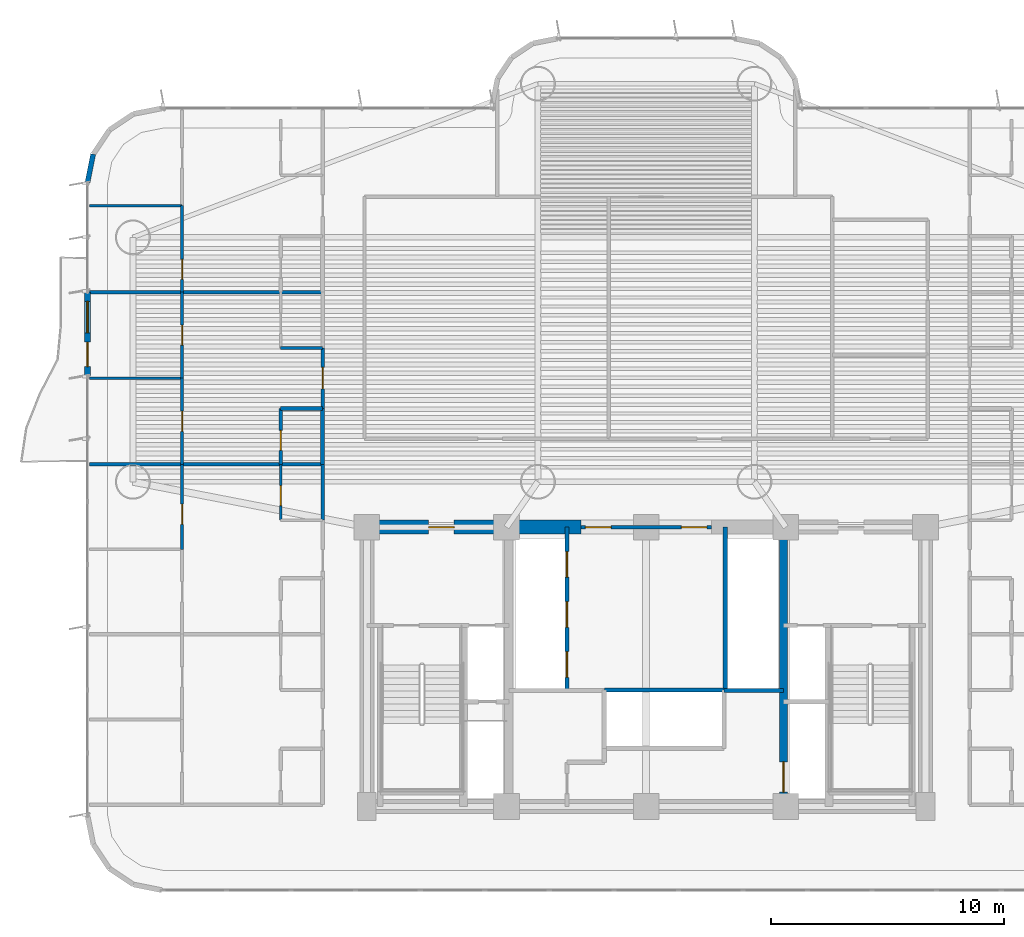
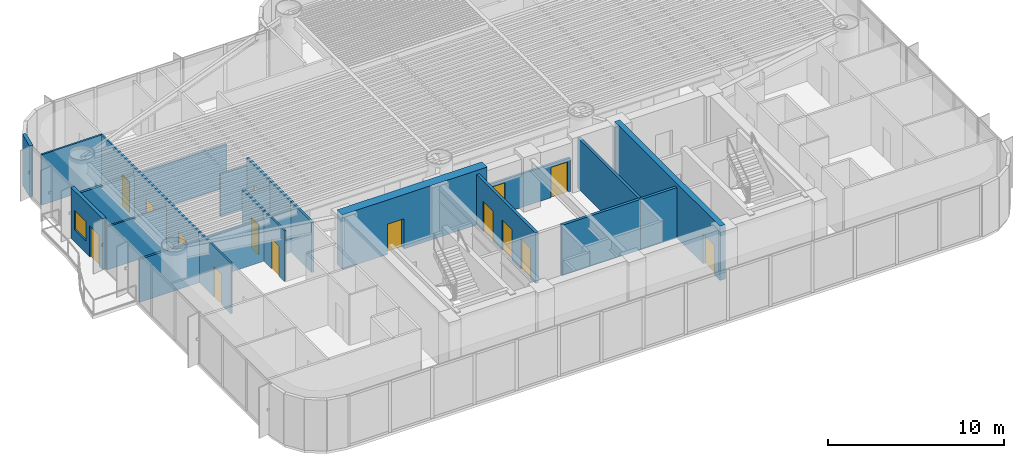
# One storey, part 11 of 19: 24 walls, 15 doors, 1 window, 16 openings.
"""IFC4 building model written with IfcOpenShell, lengths in metres."""

from ifc_helpers import new_model, si_unit, direction, frame, frame_2d, origin, origin_2d, place, context, subcontext, project, spatial, rectangle, extrude, source, transform, mapped, material, layer, layer_set, type_object, element, fill, save


model = new_model("IFC4")

# Units and contexts
model_context = context("Model", 3, precision=1e-05, world=origin(), true_north=direction((0.0, 1.0)))
body_context = subcontext(model_context, "Body", "Model", "MODEL_VIEW")
ifc_project = project(units=[si_unit("LENGTHUNIT", "METRE"), si_unit("AREAUNIT", "SQUARE_METRE"), si_unit("VOLUMEUNIT", "CUBIC_METRE"), si_unit("PLANEANGLEUNIT", "RADIAN"), si_unit("MASSUNIT", "GRAM", prefix="KILO")], contexts=[model_context])

# Site, building, storey
site_placement = place(None, origin())
site = spatial("IfcSite", under=ifc_project, at=site_placement, CompositionType="ELEMENT")
building_placement = place(site_placement, origin())
building = spatial("IfcBuilding", under=site, at=building_placement, Name="Brelvock Crest Care Tower", CompositionType="ELEMENT")
storey_placement = place(building_placement, frame((0.0, 0.0, 30.780029296875)))
storey = spatial("IfcBuildingStorey", under=building, at=storey_placement, Name="L07", CompositionType="ELEMENT", Elevation=30.780029296875)

# Wall, opening, door
ifc_material_1 = material(Name="Concrete S80 (80 MPa)", Category="concrete")
ifc_layer_1 = layer(ifc_material_1, 0.60009765625, Name="WL-CS1")
ifc_layer_set_1 = layer_set([ifc_layer_1], Name="Concrete S80 (80 MPa)")
wall_type_1 = type_object("IfcWallType", Name="WL-CS1", PredefinedType="SHEAR", material=ifc_layer_set_1)
wall_1_placement = place(storey_placement, frame((23.699951171875, 18.0, 0.0), z_axis=(0.0, 0.0, 1.0), x_axis=(1.0, 0.0, 0.0)))
wall_1 = element("IfcWall", 1, at=wall_1_placement, inside=storey, type_object=wall_type_1, Name="L07 Core North-West Shear Wall", PredefinedType="SHEAR", context=body_context, shape_type="SweptSolid", body=[
    extrude(rectangle(XDim=9.5, YDim=0.60009765625, at=frame_2d((4.75, 0.0))), origin(), (0.0, 0.0, 1.0), 3.780029296875),
])
opening_1_placement = place(wall_1_placement, frame((2.949951171875, 0.0, 0.0)))
opening_1 = element("IfcOpeningElement", 2, at=opening_1_placement, cuts=wall_1, Name="Opening FD-1", PredefinedType="OPENING", context=body_context, shape_type="SweptSolid", body=[
    extrude(rectangle(XDim=1.10009765625, YDim=2.10009765625, at=origin_2d()), frame((0.550048828125, 0.31005859375, 1.050048828125), z_axis=(0.0, -1.0, 0.0), x_axis=(1.0, 0.0, 0.0)), (0.0, 0.0, 1.0), 0.6201171875),
])
ifc_material_2 = material(Name="Steel Grade 350", Category="steel")
door_type_1 = type_object("IfcDoorType", Name="DR-FFL1", OperationType="NOTDEFINED", PredefinedType="DOOR", material=ifc_material_2)
shared_shape_1 = source(origin(), body_context, "Body", "SweptSolid", [
    extrude(rectangle(XDim=1.10009765625, YDim=2.10009765625, at=origin_2d()), frame((0.550048828125, 0.02490234375, 1.050048828125), z_axis=(0.0, -1.0, 0.0), x_axis=(1.0, 0.0, 0.0)), (0.0, 0.0, 1.0), 0.050048828125),
])
door_1_placement = place(opening_1_placement, origin())
door_1 = element("IfcDoor", 3, at=door_1_placement, inside=storey, type_object=door_type_1, Name="L07 Firefighting Lobby FFL-1 Exit Door", OperationType="SINGLE_SWING_LEFT", OverallHeight=2.10009765625, OverallWidth=1.10009765625, PredefinedType="DOOR", context=body_context, shape_type="MappedRepresentation", body=[
    mapped(shared_shape_1, transform((0.0, 0.0, 0.0), x_axis=(1.0, 0.0, 0.0), y_axis=(0.0, 1.0, 0.0), z_axis=(0.0, 0.0, 1.0), scale=1.0)),
])
fill(opening_1, door_1)

ifc_layer_2 = layer(ifc_material_1, 0.35009765625, Name="WL-CS5")
ifc_layer_set_2 = layer_set([ifc_layer_2], Name="Concrete S80 (80 MPa)")
wall_type_2 = type_object("IfcWallType", Name="WL-CS5", PredefinedType="SHEAR", material=ifc_layer_set_2)
wall_2_placement = place(storey_placement, frame((41.89990234375, 18.0, 0.0), z_axis=(0.0, 0.0, 1.0), x_axis=(0.0, -1.0, 0.0)))
wall_2 = element("IfcWall", 4, at=wall_2_placement, inside=storey, type_object=wall_type_2, Name="L07 Core Internal Web Wall East", PredefinedType="SHEAR", context=body_context, shape_type="SweptSolid", body=[
    extrude(rectangle(XDim=12.0, YDim=0.35009765625, at=frame_2d((6.0, 0.0))), origin(), (0.0, 0.0, 1.0), 3.780029296875),
])
opening_2_placement = place(wall_2_placement, frame((10.080078125, 0.0, 0.0)))
opening_2 = element("IfcOpeningElement", 5, at=opening_2_placement, cuts=wall_2, Name="Opening LD-S", PredefinedType="OPENING", context=body_context, shape_type="SweptSolid", body=[
    extrude(rectangle(XDim=1.300048828125, YDim=2.10009765625, at=origin_2d()), frame((0.64990234375, 0.18505859375, 1.050048828125), z_axis=(0.0, -1.0, 0.0), x_axis=(1.0, 0.0, 0.0)), (0.0, 0.0, 1.0), 0.3701171875),
])
door_type_2 = type_object("IfcDoorType", Name="DR-LDS1", OperationType="NOTDEFINED", PredefinedType="DOOR", material=ifc_material_2)
shared_shape_2 = source(origin(), body_context, "Body", "SweptSolid", [
    extrude(rectangle(XDim=1.300048828125, YDim=2.10009765625, at=origin_2d()), frame((0.64990234375, 0.02490234375, 1.050048828125), z_axis=(0.0, -1.0, 0.0), x_axis=(1.0, 0.0, 0.0)), (0.0, 0.0, 1.0), 0.050048828125),
])
door_2_placement = place(opening_2_placement, origin())
door_2 = element("IfcDoor", 6, at=door_2_placement, inside=storey, type_object=door_type_2, Name="L07 Clinical Bed Lift SL-1 Landing Door", OperationType="SLIDING_TO_LEFT", OverallHeight=2.10009765625, OverallWidth=1.300048828125, PredefinedType="DOOR", context=body_context, shape_type="MappedRepresentation", body=[
    mapped(shared_shape_2, transform((0.0, 0.0, 0.0), x_axis=(1.0, 0.0, 0.0), y_axis=(0.0, 1.0, 0.0), z_axis=(0.0, 0.0, 1.0), scale=1.0)),
])
fill(opening_2, door_2)

# Wall, openings, door, window
ifc_material_3 = material(Name="Precast concrete N40 (40 MPa)", Category="concrete")
ifc_layer_3 = layer(ifc_material_3, 0.239990234375, Name="WL-EX1")
ifc_layer_set_3 = layer_set([ifc_layer_3], Name="Precast concrete N40 (40 MPa)")
wall_type_3 = type_object("IfcWallType", Name="WL-EX1", PredefinedType="SOLIDWALL", material=ifc_layer_set_3)
wall_3_placement = place(storey_placement, frame((12.0, 24.5, 0.0), z_axis=(0.0, 0.0, 1.0), x_axis=(0.0, 1.0, 0.0)))
wall_3 = element("IfcWall", 7, at=wall_3_placement, inside=storey, type_object=wall_type_3, Name="L07 Exterior Spandrel Wall WL-BAL-L07-W", PredefinedType="SOLIDWALL", context=body_context, shape_type="SweptSolid", body=[
    extrude(rectangle(XDim=3.60009765625, YDim=0.239990234375, at=frame_2d((1.800048828125, 0.0))), origin(), (0.0, 0.0, 1.0), 3.530029296875),
])
opening_3_placement = place(wall_3_placement, frame((0.39990234375, 0.0, 0.0)))
opening_3 = element("IfcOpeningElement", 8, at=opening_3_placement, cuts=wall_3, Name="Opening BD-1", PredefinedType="OPENING", context=body_context, shape_type="SweptSolid", body=[
    extrude(rectangle(XDim=1.050048828125, YDim=2.14990234375, at=origin_2d()), frame((0.52490234375, 0.1298828125, 1.074951171875), z_axis=(0.0, -1.0, 0.0), x_axis=(1.0, 0.0, 0.0)), (0.0, 0.0, 1.0), 0.260009765625),
])
opening_4_placement = place(wall_3_placement, frame((1.85009765625, 0.0, 0.85009765625)))
opening_4 = element("IfcOpeningElement", 9, at=opening_4_placement, cuts=wall_3, Name="Opening W-01", PredefinedType="OPENING", context=body_context, shape_type="SweptSolid", body=[
    extrude(rectangle(XDim=1.35009765625, YDim=1.35009765625, at=origin_2d()), frame((0.675048828125, 0.1298828125, 0.675048828125), z_axis=(0.0, -1.0, 0.0), x_axis=(1.0, 0.0, 0.0)), (0.0, 0.0, 1.0), 0.260009765625),
])
ifc_material_4 = material(Name="Dark Glass Double Glazed Low-E", Category="glass")
door_type_3 = type_object("IfcDoorType", Name="DR-BAL1", OperationType="NOTDEFINED", PredefinedType="DOOR", material=ifc_material_4)
shared_shape_3 = source(origin(), body_context, "Body", "SweptSolid", [
    extrude(rectangle(XDim=1.050048828125, YDim=2.14990234375, at=origin_2d()), frame((0.52490234375, 0.02490234375, 1.074951171875), z_axis=(0.0, -1.0, 0.0), x_axis=(1.0, 0.0, 0.0)), (0.0, 0.0, 1.0), 0.050048828125),
])
door_3_placement = place(opening_3_placement, origin())
door_3 = element("IfcDoor", 10, at=door_3_placement, inside=storey, type_object=door_type_3, Name="L07 W Wave Balcony Glazed Door", OperationType="SINGLE_SWING_LEFT", OverallHeight=2.14990234375, OverallWidth=1.050048828125, PredefinedType="DOOR", context=body_context, shape_type="MappedRepresentation", body=[
    mapped(shared_shape_3, transform((0.0, 0.0, 0.0), x_axis=(1.0, 0.0, 0.0), y_axis=(0.0, 1.0, 0.0), z_axis=(0.0, 0.0, 1.0), scale=1.0)),
])
fill(opening_3, door_3)
window_type = type_object("IfcWindowType", Name="WN-EX1", PartitioningType="SINGLE_PANEL", PredefinedType="WINDOW", material=ifc_material_4)
shared_shape_4 = source(origin(), body_context, "Body", "SweptSolid", [
    extrude(rectangle(XDim=1.35009765625, YDim=1.35009765625, at=origin_2d()), frame((0.675048828125, 0.030029296875, 0.675048828125), z_axis=(0.0, -1.0, 0.0), x_axis=(1.0, 0.0, 0.0)), (0.0, 0.0, 1.0), 0.06005859375),
])
window_placement = place(opening_4_placement, origin())
window = element("IfcWindow", 11, at=window_placement, inside=storey, type_object=window_type, Name="L07 W Suite Casement Window", OverallHeight=1.35009765625, OverallWidth=1.35009765625, PartitioningType="SINGLE_PANEL", PredefinedType="WINDOW", context=body_context, shape_type="MappedRepresentation", body=[
    mapped(shared_shape_4, transform((0.0, 0.0, 0.0), x_axis=(1.0, 0.0, 0.0), y_axis=(0.0, 1.0, 0.0), z_axis=(0.0, 0.0, 1.0), scale=1.0)),
])
fill(opening_4, window)

# Wall
ifc_layer_4 = layer(ifc_material_3, 0.215087890625, Name="WL-EX2")
ifc_layer_set_4 = layer_set([ifc_layer_4], Name="Precast concrete N40 (40 MPa)")
wall_type_4 = type_object("IfcWallType", Name="WL-EX2", PredefinedType="SOLIDWALL", material=ifc_layer_set_4)
wall_4_placement = place(storey_placement, frame((12.0, 32.800048828125, 0.0), z_axis=(0.0, 0.0, 1.0), x_axis=(0.195138390419, 0.980775717779, 0.0)))
element("IfcWall", 12, at=wall_4_placement, inside=storey, type_object=wall_type_4, Name="L07 Rounded Corner Wall 14", PredefinedType="SOLIDWALL", context=body_context, shape_type="SweptSolid", body=[
    extrude(rectangle(XDim=1.24853515625, YDim=0.215087890625, at=frame_2d((0.624267578125, 0.0))), origin(), (0.0, 0.0, 1.0), 3.530029296875),
])

# Wall, openings, doors
ifc_material_5 = material(Name="Masonry Blockwork Acoustic Partition", Category="masonry")
ifc_layer_5 = layer(ifc_material_5, 0.14990234375, Name="WL-INT1")
ifc_layer_set_5 = layer_set([ifc_layer_5], Name="Masonry Blockwork Acoustic Partition")
wall_type_5 = type_object("IfcWallType", Name="WL-INT1", PredefinedType="PARTITIONING", material=ifc_layer_set_5)
wall_5_placement = place(storey_placement, frame((33.199951171875, 18.0, 0.0), z_axis=(0.0, 0.0, 1.0), x_axis=(1.0, 0.0, 0.0)))
wall_5 = element("IfcWall", 13, at=wall_5_placement, inside=storey, type_object=wall_type_5, Name="L07 Interior Wall WL-CORE-NPORT-L07", PredefinedType="PARTITIONING", context=body_context, shape_type="SweptSolid", body=[
    extrude(rectangle(XDim=5.60009765625, YDim=0.14990234375, at=frame_2d((2.800048828125, 0.0))), origin(), (0.0, 0.0, 1.0), 2.31494140625),
])
opening_5_placement = place(wall_5_placement, frame((0.18994140625, 0.0, 0.0)))
opening_5 = element("IfcOpeningElement", 14, at=opening_5_placement, cuts=wall_5, Name="Opening FD-1", PredefinedType="OPENING", context=body_context, shape_type="SweptSolid", body=[
    extrude(rectangle(XDim=1.10009765625, YDim=2.10009765625, at=origin_2d()), frame((0.550048828125, 0.0849609375, 1.050048828125), z_axis=(0.0, -1.0, 0.0), x_axis=(1.0, 0.0, 0.0)), (0.0, 0.0, 1.0), 0.169921875),
])
opening_6_placement = place(wall_5_placement, frame((4.31005859375, 0.0, 0.0)))
opening_6 = element("IfcOpeningElement", 15, at=opening_6_placement, cuts=wall_5, Name="Opening FD-1", PredefinedType="OPENING", context=body_context, shape_type="SweptSolid", body=[
    extrude(rectangle(XDim=1.10009765625, YDim=2.10009765625, at=origin_2d()), frame((0.550048828125, 0.0849609375, 1.050048828125), z_axis=(0.0, -1.0, 0.0), x_axis=(1.0, 0.0, 0.0)), (0.0, 0.0, 1.0), 0.169921875),
])
door_4_placement = place(opening_5_placement, origin())
door_4 = element("IfcDoor", 16, at=door_4_placement, inside=storey, type_object=door_type_1, Name="L07 Lift Lobby North Smoke Door West", OperationType="SINGLE_SWING_LEFT", OverallHeight=2.10009765625, OverallWidth=1.10009765625, PredefinedType="DOOR", context=body_context, shape_type="MappedRepresentation", body=[
    mapped(shared_shape_1, transform((0.0, 0.0, 0.0), x_axis=(1.0, 0.0, 0.0), y_axis=(0.0, 1.0, 0.0), z_axis=(0.0, 0.0, 1.0), scale=1.0)),
])
fill(opening_5, door_4)
door_5_placement = place(opening_6_placement, origin())
door_5 = element("IfcDoor", 17, at=door_5_placement, inside=storey, type_object=door_type_1, Name="L07 Lift Lobby North Smoke Door East", OperationType="SINGLE_SWING_RIGHT", OverallHeight=2.10009765625, OverallWidth=1.10009765625, PredefinedType="DOOR", context=body_context, shape_type="MappedRepresentation", body=[
    mapped(shared_shape_1, transform((0.0, 0.0, 0.0), x_axis=(1.0, 0.0, 0.0), y_axis=(0.0, 1.0, 0.0), z_axis=(0.0, 0.0, 1.0), scale=1.0)),
])
fill(opening_6, door_5)

# Walls
for number, where, z_axis, x_axis, name in (
    (18, (12.080078125, 20.699951171875, 0.0), (0.0, 0.0, 1.0), (1.0, 0.0, 0.0), "L07 Interior Wall WL-BX-L07-FL-WW2-N"),
    (19, (12.080078125, 28.10009765625, 0.0), (0.0, 0.0, 1.0), (1.0, 0.0, 0.0), "L07 Interior Wall WL-BX-L07-FL-WW3-N"),
):
    element("IfcWall", number, at=place(storey_placement, frame(where, z_axis=z_axis, x_axis=x_axis)), inside=storey, type_object=wall_type_5, Name=name, PredefinedType="PARTITIONING", context=body_context, shape_type="SweptSolid", body=[
        extrude(rectangle(XDim=10.02001953125, YDim=0.14990234375, at=frame_2d((5.010009765625, 0.0))), origin(), (0.0, 0.0, 1.0), 2.98193359375),
    ])
wall_6_placement = place(storey_placement, frame((22.10009765625, 18.300048828125, 0.0), z_axis=(0.0, 0.0, 1.0), x_axis=(0.0, 1.0, 0.0)))
element("IfcWall", 20, at=wall_6_placement, inside=storey, type_object=wall_type_5, Name="L07 Interior Wall WL-UCK-L07-WW2", PredefinedType="PARTITIONING", context=body_context, shape_type="SweptSolid", body=[
    extrude(rectangle(XDim=2.39990234375, YDim=0.14990234375, at=frame_2d((1.199951171875, 0.0))), origin(), (0.0, 0.0, 1.0), 3.5),
])

# Wall, opening, door
wall_7_placement = place(storey_placement, frame((22.10009765625, 23.10009765625, 0.0), z_axis=(0.0, 0.0, 1.0), x_axis=(0.0, 1.0, 0.0)))
wall_7 = element("IfcWall", 21, at=wall_7_placement, inside=storey, type_object=wall_type_5, Name="L07 Interior Wall WL-UENT-L07-WW3", PredefinedType="PARTITIONING", context=body_context, shape_type="SweptSolid", body=[
    extrude(rectangle(XDim=2.599853515625, YDim=0.14990234375, at=frame_2d((1.2998046875, 0.0))), origin(), (0.0, 0.0, 1.0), 3.5),
])
opening_7_placement = place(wall_7_placement, frame((0.840087890625, 0.0, 0.0)))
opening_7 = element("IfcOpeningElement", 22, at=opening_7_placement, cuts=wall_7, Name="Opening AD-1", PredefinedType="OPENING", context=body_context, shape_type="SweptSolid", body=[
    extrude(rectangle(XDim=0.919921875, YDim=2.10009765625, at=origin_2d()), frame((0.4599609375, 0.0849609375, 1.050048828125), z_axis=(0.0, -1.0, 0.0), x_axis=(1.0, 0.0, 0.0)), (0.0, 0.0, 1.0), 0.169921875),
])
ifc_material_6 = material(Name="Engineered Hardwood Timber", Category="wood")
door_type_4 = type_object("IfcDoorType", Name="DR-APT1", OperationType="NOTDEFINED", PredefinedType="DOOR", material=ifc_material_6)
shared_shape_5 = source(origin(), body_context, "Body", "SweptSolid", [
    extrude(rectangle(XDim=0.919921875, YDim=2.10009765625, at=origin_2d()), frame((0.4599609375, 0.02490234375, 1.050048828125), z_axis=(0.0, -1.0, 0.0), x_axis=(1.0, 0.0, 0.0)), (0.0, 0.0, 1.0), 0.050048828125),
])
door_6_placement = place(opening_7_placement, origin())
door_6 = element("IfcDoor", 23, at=door_6_placement, inside=storey, type_object=door_type_4, Name="L07 Apartment Entrance WW3", OperationType="SINGLE_SWING_LEFT", OverallHeight=2.10009765625, OverallWidth=0.919921875, PredefinedType="DOOR", context=body_context, shape_type="MappedRepresentation", body=[
    mapped(shared_shape_5, transform((0.0, 0.0, 0.0), x_axis=(1.0, 0.0, 0.0), y_axis=(0.0, 1.0, 0.0), z_axis=(0.0, 0.0, 1.0), scale=1.0)),
])
fill(opening_7, door_6)

# Walls
ifc_material_7 = material(Name="Gypsum Plasterboard Partition", Category="gypsum")
ifc_layer_6 = layer(ifc_material_7, 0.1201171875, Name="WL-INT2")
ifc_layer_set_6 = layer_set([ifc_layer_6], Name="Gypsum Plasterboard Partition")
wall_type_6 = type_object("IfcWallType", Name="WL-INT2", PredefinedType="PARTITIONING", material=ifc_layer_set_6)
wall_8_placement = place(storey_placement, frame((12.080078125, 24.39990234375, 0.0), z_axis=(0.0, 0.0, 1.0), x_axis=(1.0, 0.0, 0.0)))
element("IfcWall", 24, at=wall_8_placement, inside=storey, type_object=wall_type_6, Name="L07 Interior Wall WL-UBSP-L07-WW3", PredefinedType="PARTITIONING", context=body_context, shape_type="SweptSolid", body=[
    extrude(rectangle(XDim=3.98388671875, YDim=0.1201171875, at=frame_2d((1.991943359375, 0.0))), origin(), (0.0, 0.0, 1.0), 2.98193359375),
])
wall_9_placement = place(storey_placement, frame((20.300048828125, 25.699951171875, 0.0), z_axis=(0.0, 0.0, 1.0), x_axis=(1.0, 0.0, 0.0)))
element("IfcWall", 25, at=wall_9_placement, inside=storey, type_object=wall_type_6, Name="L07 Interior Wall WL-UKIT2-L07-WW3", PredefinedType="PARTITIONING", context=body_context, shape_type="SweptSolid", body=[
    extrude(rectangle(XDim=1.800048828125, YDim=0.1201171875, at=frame_2d((0.89990234375, 0.0))), origin(), (0.0, 0.0, 1.0), 2.98193359375),
])
wall_10_placement = place(storey_placement, frame((12.080078125, 31.81005859375, 0.0), z_axis=(0.0, 0.0, 1.0), x_axis=(1.0, 0.0, 0.0)))
element("IfcWall", 26, at=wall_10_placement, inside=storey, type_object=wall_type_6, Name="L07 Interior Wall WL-UBSP-L07-WW4", PredefinedType="PARTITIONING", context=body_context, shape_type="SweptSolid", body=[
    extrude(rectangle(XDim=3.98388671875, YDim=0.1201171875, at=frame_2d((1.991943359375, 0.0))), origin(), (0.0, 0.0, 1.0), 3.5),
])

# Wall, opening, door
wall_11_placement = place(storey_placement, frame((16.06396484375, 17.050048828125, 0.0), z_axis=(0.0, 0.0, 1.0), x_axis=(0.0, 1.0, 0.0)))
wall_11 = element("IfcWall", 27, at=wall_11_placement, inside=storey, type_object=wall_type_6, Name="L07 Interior Wall WL-UBD2-L07-WW2", PredefinedType="PARTITIONING", context=body_context, shape_type="SweptSolid", body=[
    extrude(rectangle(XDim=3.64990234375, YDim=0.1201171875, at=frame_2d((1.824951171875, 0.0))), origin(), (0.0, 0.0, 1.0), 3.5),
])
opening_8_placement = place(wall_11_placement, frame((1.074951171875, 0.0, 0.0)))
opening_8 = element("IfcOpeningElement", 28, at=opening_8_placement, cuts=wall_11, Name="Opening ID-1", PredefinedType="OPENING", context=body_context, shape_type="SweptSolid", body=[
    extrude(rectangle(XDim=0.860107421875, YDim=2.10009765625, at=origin_2d()), frame((0.43017578125, 0.070068359375, 1.050048828125), z_axis=(0.0, -1.0, 0.0), x_axis=(1.0, 0.0, 0.0)), (0.0, 0.0, 1.0), 0.14013671875),
])
door_type_5 = type_object("IfcDoorType", Name="DR-INT1", OperationType="NOTDEFINED", PredefinedType="DOOR", material=ifc_material_6)
shared_shape_6 = source(origin(), body_context, "Body", "SweptSolid", [
    extrude(rectangle(XDim=0.860107421875, YDim=2.10009765625, at=origin_2d()), frame((0.43017578125, 0.02490234375, 1.050048828125), z_axis=(0.0, -1.0, 0.0), x_axis=(1.0, 0.0, 0.0)), (0.0, 0.0, 1.0), 0.050048828125),
])
door_7_placement = place(opening_8_placement, origin())
door_7 = element("IfcDoor", 29, at=door_7_placement, inside=storey, type_object=door_type_5, Name="L07 Second Room Door WW2", OperationType="SINGLE_SWING_LEFT", OverallHeight=2.10009765625, OverallWidth=0.860107421875, PredefinedType="DOOR", context=body_context, shape_type="MappedRepresentation", body=[
    mapped(shared_shape_6, transform((0.0, 0.0, 0.0), x_axis=(1.0, 0.0, 0.0), y_axis=(0.0, 1.0, 0.0), z_axis=(0.0, 0.0, 1.0), scale=1.0)),
])
fill(opening_8, door_7)

wall_12_placement = place(storey_placement, frame((16.06396484375, 20.699951171875, 0.0), z_axis=(0.0, 0.0, 1.0), x_axis=(0.0, 1.0, 0.0)))
wall_12 = element("IfcWall", 30, at=wall_12_placement, inside=storey, type_object=wall_type_6, Name="L07 Interior Wall WL-UBD1-L07-WW3", PredefinedType="PARTITIONING", context=body_context, shape_type="SweptSolid", body=[
    extrude(rectangle(XDim=3.699951171875, YDim=0.1201171875, at=frame_2d((1.85009765625, 0.0))), origin(), (0.0, 0.0, 1.0), 3.5),
])
opening_9_placement = place(wall_12_placement, frame((1.419921875, 0.0, 0.0)))
opening_9 = element("IfcOpeningElement", 31, at=opening_9_placement, cuts=wall_12, Name="Opening ID-1", PredefinedType="OPENING", context=body_context, shape_type="SweptSolid", body=[
    extrude(rectangle(XDim=0.860107421875, YDim=2.10009765625, at=origin_2d()), frame((0.43017578125, 0.070068359375, 1.050048828125), z_axis=(0.0, -1.0, 0.0), x_axis=(1.0, 0.0, 0.0)), (0.0, 0.0, 1.0), 0.14013671875),
])
door_8_placement = place(opening_9_placement, origin())
door_8 = element("IfcDoor", 32, at=door_8_placement, inside=storey, type_object=door_type_5, Name="L07 Primary Bedroom Door WW3", OperationType="SINGLE_SWING_RIGHT", OverallHeight=2.10009765625, OverallWidth=0.860107421875, PredefinedType="DOOR", context=body_context, shape_type="MappedRepresentation", body=[
    mapped(shared_shape_6, transform((0.0, 0.0, 0.0), x_axis=(1.0, 0.0, 0.0), y_axis=(0.0, 1.0, 0.0), z_axis=(0.0, 0.0, 1.0), scale=1.0)),
])
fill(opening_9, door_8)

wall_13_placement = place(storey_placement, frame((16.06396484375, 24.39990234375, 0.0), z_axis=(0.0, 0.0, 1.0), x_axis=(0.0, 1.0, 0.0)))
wall_13 = element("IfcWall", 33, at=wall_13_placement, inside=storey, type_object=wall_type_6, Name="L07 Interior Wall WL-UBD2-L07-WW3", PredefinedType="PARTITIONING", context=body_context, shape_type="SweptSolid", body=[
    extrude(rectangle(XDim=3.7001953125, YDim=0.1201171875, at=frame_2d((1.85009765625, 0.0))), origin(), (0.0, 0.0, 1.0), 3.5),
])
opening_10_placement = place(wall_13_placement, frame((1.419921875, 0.0, 0.0)))
opening_10 = element("IfcOpeningElement", 34, at=opening_10_placement, cuts=wall_13, Name="Opening ID-1", PredefinedType="OPENING", context=body_context, shape_type="SweptSolid", body=[
    extrude(rectangle(XDim=0.860107421875, YDim=2.10009765625, at=origin_2d()), frame((0.43017578125, 0.070068359375, 1.050048828125), z_axis=(0.0, -1.0, 0.0), x_axis=(1.0, 0.0, 0.0)), (0.0, 0.0, 1.0), 0.14013671875),
])
door_9_placement = place(opening_10_placement, origin())
door_9 = element("IfcDoor", 35, at=door_9_placement, inside=storey, type_object=door_type_5, Name="L07 Second Room Door WW3", OperationType="SINGLE_SWING_LEFT", OverallHeight=2.10009765625, OverallWidth=0.860107421875, PredefinedType="DOOR", context=body_context, shape_type="MappedRepresentation", body=[
    mapped(shared_shape_6, transform((0.0, 0.0, 0.0), x_axis=(1.0, 0.0, 0.0), y_axis=(0.0, 1.0, 0.0), z_axis=(0.0, 0.0, 1.0), scale=1.0)),
])
fill(opening_10, door_9)

wall_14_placement = place(storey_placement, frame((16.06396484375, 28.10009765625, 0.0), z_axis=(0.0, 0.0, 1.0), x_axis=(0.0, 1.0, 0.0)))
wall_14 = element("IfcWall", 36, at=wall_14_placement, inside=storey, type_object=wall_type_6, Name="L07 Interior Wall WL-UBD1-L07-WW4", PredefinedType="PARTITIONING", context=body_context, shape_type="SweptSolid", body=[
    extrude(rectangle(XDim=3.7099609375, YDim=0.1201171875, at=frame_2d((1.85498046875, 0.0))), origin(), (0.0, 0.0, 1.0), 3.5),
])
opening_11_placement = place(wall_14_placement, frame((0.544921875, 0.0, 0.0)))
opening_11 = element("IfcOpeningElement", 37, at=opening_11_placement, cuts=wall_14, Name="Opening ID-1", PredefinedType="OPENING", context=body_context, shape_type="SweptSolid", body=[
    extrude(rectangle(XDim=0.860107421875, YDim=2.10009765625, at=origin_2d()), frame((0.43017578125, 0.070068359375, 1.050048828125), z_axis=(0.0, -1.0, 0.0), x_axis=(1.0, 0.0, 0.0)), (0.0, 0.0, 1.0), 0.14013671875),
])
door_10_placement = place(opening_11_placement, origin())
door_10 = element("IfcDoor", 38, at=door_10_placement, inside=storey, type_object=door_type_5, Name="L07 Primary Bedroom Door WW4", OperationType="SINGLE_SWING_RIGHT", OverallHeight=2.10009765625, OverallWidth=0.860107421875, PredefinedType="DOOR", context=body_context, shape_type="MappedRepresentation", body=[
    mapped(shared_shape_6, transform((0.0, 0.0, 0.0), x_axis=(1.0, 0.0, 0.0), y_axis=(0.0, 1.0, 0.0), z_axis=(0.0, 0.0, 1.0), scale=1.0)),
])
fill(opening_11, door_10)

wall_15_placement = place(storey_placement, frame((20.300048828125, 18.300048828125, 0.0), z_axis=(0.0, 0.0, 1.0), x_axis=(0.0, 1.0, 0.0)))
wall_15 = element("IfcWall", 39, at=wall_15_placement, inside=storey, type_object=wall_type_6, Name="L07 Interior Wall WL-UKIT1-L07-WW2", PredefinedType="PARTITIONING", context=body_context, shape_type="SweptSolid", body=[
    extrude(rectangle(XDim=2.39990234375, YDim=0.1201171875, at=frame_2d((1.199951171875, 0.0))), origin(), (0.0, 0.0, 1.0), 3.5),
])
opening_12_placement = place(wall_15_placement, frame((0.6201171875, 0.0, 0.0)))
opening_12 = element("IfcOpeningElement", 40, at=opening_12_placement, cuts=wall_15, Name="Opening ID-1", PredefinedType="OPENING", context=body_context, shape_type="SweptSolid", body=[
    extrude(rectangle(XDim=0.860107421875, YDim=2.10009765625, at=origin_2d()), frame((0.43017578125, 0.070068359375, 1.050048828125), z_axis=(0.0, -1.0, 0.0), x_axis=(1.0, 0.0, 0.0)), (0.0, 0.0, 1.0), 0.14013671875),
])
door_11_placement = place(opening_12_placement, origin())
door_11 = element("IfcDoor", 41, at=door_11_placement, inside=storey, type_object=door_type_5, Name="L07 Kitchen Door WW2", OperationType="SINGLE_SWING_LEFT", OverallHeight=2.10009765625, OverallWidth=0.860107421875, PredefinedType="DOOR", context=body_context, shape_type="MappedRepresentation", body=[
    mapped(shared_shape_6, transform((0.0, 0.0, 0.0), x_axis=(1.0, 0.0, 0.0), y_axis=(0.0, 1.0, 0.0), z_axis=(0.0, 0.0, 1.0), scale=1.0)),
])
fill(opening_12, door_11)

# Wall
ifc_layer_7 = layer(ifc_material_7, 0.159912109375, Name="WL-PLM1")
ifc_layer_set_7 = layer_set([ifc_layer_7], Name="Gypsum Plasterboard Partition")
wall_type_7 = type_object("IfcWallType", Name="WL-PLM1", PredefinedType="PLUMBINGWALL", material=ifc_layer_set_7)
wall_16_placement = place(storey_placement, frame((20.300048828125, 23.10009765625, 0.0), z_axis=(0.0, 0.0, 1.0), x_axis=(1.0, 0.0, 0.0)))
element("IfcWall", 42, at=wall_16_placement, inside=storey, type_object=wall_type_7, Name="L07 Interior Wall WL-UBTH2-L07-WW3", PredefinedType="PLUMBINGWALL", context=body_context, shape_type="SweptSolid", body=[
    extrude(rectangle(XDim=1.800048828125, YDim=0.159912109375, at=frame_2d((0.89990234375, 0.0))), origin(), (0.0, 0.0, 1.0), 3.054931640625),
])

# Wall, opening, door
wall_17_placement = place(storey_placement, frame((20.300048828125, 20.699951171875, 0.0), z_axis=(0.0, 0.0, 1.0), x_axis=(0.0, 1.0, 0.0)))
wall_17 = element("IfcWall", 43, at=wall_17_placement, inside=storey, type_object=wall_type_7, Name="L07 Interior Wall WL-UBTH1-L07-WW3", PredefinedType="PLUMBINGWALL", context=body_context, shape_type="SweptSolid", body=[
    extrude(rectangle(XDim=2.400146484375, YDim=0.159912109375, at=frame_2d((1.2001953125, 0.0))), origin(), (0.0, 0.0, 1.0), 3.5),
])
opening_13_placement = place(wall_17_placement, frame((0.60009765625, 0.0, 0.0)))
opening_13 = element("IfcOpeningElement", 44, at=opening_13_placement, cuts=wall_17, Name="Opening WD-1", PredefinedType="OPENING", context=body_context, shape_type="SweptSolid", body=[
    extrude(rectangle(XDim=0.860107421875, YDim=2.10009765625, at=origin_2d()), frame((0.43017578125, 0.08984375, 1.050048828125), z_axis=(0.0, -1.0, 0.0), x_axis=(1.0, 0.0, 0.0)), (0.0, 0.0, 1.0), 0.179931640625),
])
door_type_6 = type_object("IfcDoorType", Name="DR-WC1", OperationType="NOTDEFINED", PredefinedType="DOOR", material=ifc_material_6)
shared_shape_7 = source(origin(), body_context, "Body", "SweptSolid", [
    extrude(rectangle(XDim=0.860107421875, YDim=2.10009765625, at=origin_2d()), frame((0.43017578125, 0.02490234375, 1.050048828125), z_axis=(0.0, -1.0, 0.0), x_axis=(1.0, 0.0, 0.0)), (0.0, 0.0, 1.0), 0.050048828125),
])
door_12_placement = place(opening_13_placement, origin())
door_12 = element("IfcDoor", 45, at=door_12_placement, inside=storey, type_object=door_type_6, Name="L07 Bathroom Door WW3", OperationType="SINGLE_SWING_LEFT", OverallHeight=2.10009765625, OverallWidth=0.860107421875, PredefinedType="DOOR", context=body_context, shape_type="MappedRepresentation", body=[
    mapped(shared_shape_7, transform((0.0, 0.0, 0.0), x_axis=(1.0, 0.0, 0.0), y_axis=(0.0, 1.0, 0.0), z_axis=(0.0, 0.0, 1.0), scale=1.0)),
])
fill(opening_13, door_12)

# Walls
wall_18_placement = place(storey_placement, frame((22.10009765625, 20.699951171875, 0.0), z_axis=(0.0, 0.0, 1.0), x_axis=(0.0, 1.0, 0.0)))
element("IfcWall", 46, at=wall_18_placement, inside=storey, type_object=wall_type_7, Name="L07 Interior Wall WL-UCB-L07-WW3", PredefinedType="PLUMBINGWALL", context=body_context, shape_type="SweptSolid", body=[
    extrude(rectangle(XDim=2.400146484375, YDim=0.159912109375, at=frame_2d((1.2001953125, 0.0))), origin(), (0.0, 0.0, 1.0), 3.5),
])
ifc_layer_8 = layer(ifc_material_5, 0.179931640625, Name="WL-SHF1")
ifc_layer_set_8 = layer_set([ifc_layer_8], Name="Masonry Blockwork Acoustic Partition")
wall_type_8 = type_object("IfcWallType", Name="WL-SHF1", PredefinedType="PARTITIONING", material=ifc_layer_set_8)
wall_19_placement = place(storey_placement, frame((34.199951171875, 11.0, 0.0), z_axis=(0.0, 0.0, 1.0), x_axis=(1.0, 0.0, 0.0)))
element("IfcWall", 47, at=wall_19_placement, inside=storey, type_object=wall_type_8, Name="L07 Interior Wall WL-PLM-SHF-L07", PredefinedType="PARTITIONING", context=body_context, shape_type="SweptSolid", body=[
    extrude(rectangle(XDim=5.150146484375, YDim=0.179931640625, at=frame_2d((2.5751953125, 0.0))), origin(), (0.0, 0.0, 1.0), 3.5),
])
wall_20_placement = place(storey_placement, frame((39.39990234375, 11.0, 0.0), z_axis=(0.0, 0.0, 1.0), x_axis=(0.0, 1.0, 0.0)))
element("IfcWall", 48, at=wall_20_placement, inside=storey, type_object=wall_type_8, Name="L07 Interior Wall WL-PLH-SHF-L07", PredefinedType="PARTITIONING", context=body_context, shape_type="SweptSolid", body=[
    extrude(rectangle(XDim=7.0, YDim=0.179931640625, at=frame_2d((3.5, 0.0))), origin(), (0.0, 0.0, 1.0), 3.5),
])
wall_21_placement = place(storey_placement, frame((39.35009765625, 10.97998046875, 0.0), z_axis=(0.0, 0.0, 1.0), x_axis=(1.0, 0.0, 0.0)))
element("IfcWall", 49, at=wall_21_placement, inside=storey, type_object=wall_type_8, Name="L07 Interior Wall WL-CSBE-N-L07", PredefinedType="PARTITIONING", context=body_context, shape_type="SweptSolid", body=[
    extrude(rectangle(XDim=2.5498046875, YDim=0.179931640625, at=frame_2d((1.27490234375, 0.0))), origin(), (0.0, 0.0, 1.0), 3.5),
])

# Wall, openings, doors
wall_22_placement = place(storey_placement, frame((32.60009765625, 11.0, 0.0), z_axis=(0.0, 0.0, 1.0), x_axis=(0.0, 1.0, 0.0)))
wall_22 = element("IfcWall", 50, at=wall_22_placement, inside=storey, type_object=wall_type_8, Name="L07 Interior Wall WL-PLL-BANK-L07", PredefinedType="PARTITIONING", context=body_context, shape_type="SweptSolid", body=[
    extrude(rectangle(XDim=7.0, YDim=0.179931640625, at=frame_2d((3.5, 0.0))), origin(), (0.0, 0.0, 1.0), 3.5),
])
opening_14_placement = place(wall_22_placement, frame((0.550048828125, 0.0, 0.0)))
opening_14 = element("IfcOpeningElement", 51, at=opening_14_placement, cuts=wall_22, Name="Opening LD", PredefinedType="OPENING", context=body_context, shape_type="SweptSolid", body=[
    extrude(rectangle(XDim=1.10009765625, YDim=2.10009765625, at=origin_2d()), frame((0.550048828125, 0.10009765625, 1.050048828125), z_axis=(0.0, -1.0, 0.0), x_axis=(1.0, 0.0, 0.0)), (0.0, 0.0, 1.0), 0.199951171875),
])
opening_15_placement = place(wall_22_placement, frame((2.699951171875, 0.0, 0.0)))
opening_15 = element("IfcOpeningElement", 52, at=opening_15_placement, cuts=wall_22, Name="Opening LD", PredefinedType="OPENING", context=body_context, shape_type="SweptSolid", body=[
    extrude(rectangle(XDim=1.10009765625, YDim=2.10009765625, at=origin_2d()), frame((0.550048828125, 0.10009765625, 1.050048828125), z_axis=(0.0, -1.0, 0.0), x_axis=(1.0, 0.0, 0.0)), (0.0, 0.0, 1.0), 0.199951171875),
])
opening_16_placement = place(wall_22_placement, frame((4.85009765625, 0.0, 0.0)))
opening_16 = element("IfcOpeningElement", 53, at=opening_16_placement, cuts=wall_22, Name="Opening LD", PredefinedType="OPENING", context=body_context, shape_type="SweptSolid", body=[
    extrude(rectangle(XDim=1.10009765625, YDim=2.10009765625, at=origin_2d()), frame((0.550048828125, 0.10009765625, 1.050048828125), z_axis=(0.0, -1.0, 0.0), x_axis=(1.0, 0.0, 0.0)), (0.0, 0.0, 1.0), 0.199951171875),
])
door_type_7 = type_object("IfcDoorType", Name="DR-LD1", OperationType="NOTDEFINED", PredefinedType="DOOR", material=ifc_material_2)
shared_shape_8 = source(origin(), body_context, "Body", "SweptSolid", [
    extrude(rectangle(XDim=1.10009765625, YDim=2.10009765625, at=origin_2d()), frame((0.550048828125, 0.02490234375, 1.050048828125), z_axis=(0.0, -1.0, 0.0), x_axis=(1.0, 0.0, 0.0)), (0.0, 0.0, 1.0), 0.050048828125),
])
door_13_placement = place(opening_14_placement, origin())
door_13 = element("IfcDoor", 54, at=door_13_placement, inside=storey, type_object=door_type_7, Name="L07 Lift PL-L1 Landing Door", OperationType="SLIDING_TO_LEFT", OverallHeight=2.10009765625, OverallWidth=1.10009765625, PredefinedType="DOOR", context=body_context, shape_type="MappedRepresentation", body=[
    mapped(shared_shape_8, transform((0.0, 0.0, 0.0), x_axis=(1.0, 0.0, 0.0), y_axis=(0.0, 1.0, 0.0), z_axis=(0.0, 0.0, 1.0), scale=1.0)),
])
fill(opening_14, door_13)
door_14_placement = place(opening_15_placement, origin())
door_14 = element("IfcDoor", 55, at=door_14_placement, inside=storey, type_object=door_type_7, Name="L07 Lift PL-L2 Landing Door", OperationType="SLIDING_TO_LEFT", OverallHeight=2.10009765625, OverallWidth=1.10009765625, PredefinedType="DOOR", context=body_context, shape_type="MappedRepresentation", body=[
    mapped(shared_shape_8, transform((0.0, 0.0, 0.0), x_axis=(1.0, 0.0, 0.0), y_axis=(0.0, 1.0, 0.0), z_axis=(0.0, 0.0, 1.0), scale=1.0)),
])
fill(opening_15, door_14)
door_15_placement = place(opening_16_placement, origin())
door_15 = element("IfcDoor", 56, at=door_15_placement, inside=storey, type_object=door_type_7, Name="L07 Lift PL-L3 Landing Door", OperationType="SLIDING_TO_LEFT", OverallHeight=2.10009765625, OverallWidth=1.10009765625, PredefinedType="DOOR", context=body_context, shape_type="MappedRepresentation", body=[
    mapped(shared_shape_8, transform((0.0, 0.0, 0.0), x_axis=(1.0, 0.0, 0.0), y_axis=(0.0, 1.0, 0.0), z_axis=(0.0, 0.0, 1.0), scale=1.0)),
])
fill(opening_16, door_15)

save(model, "model.ifc")
